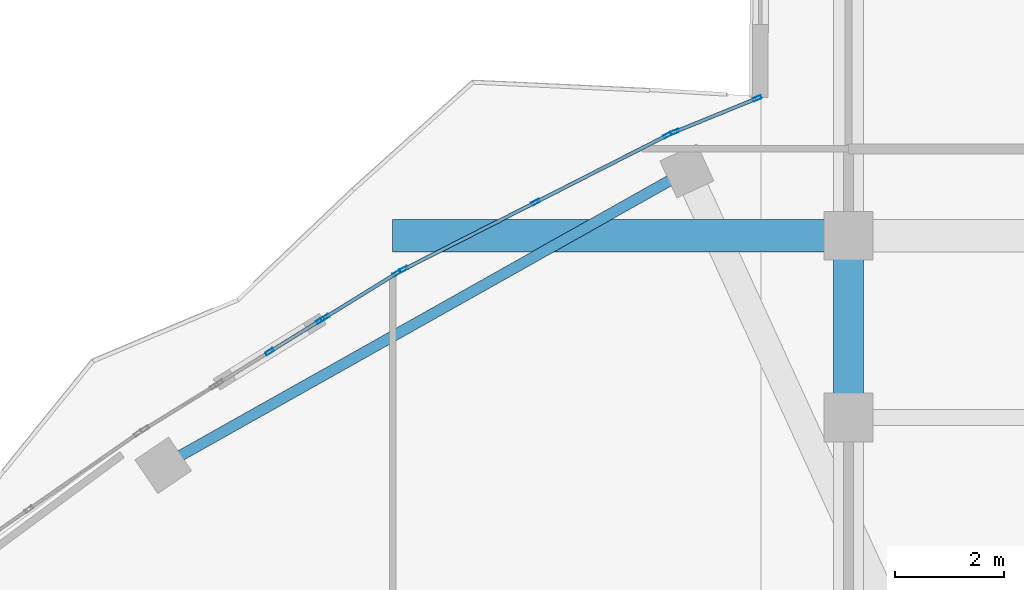
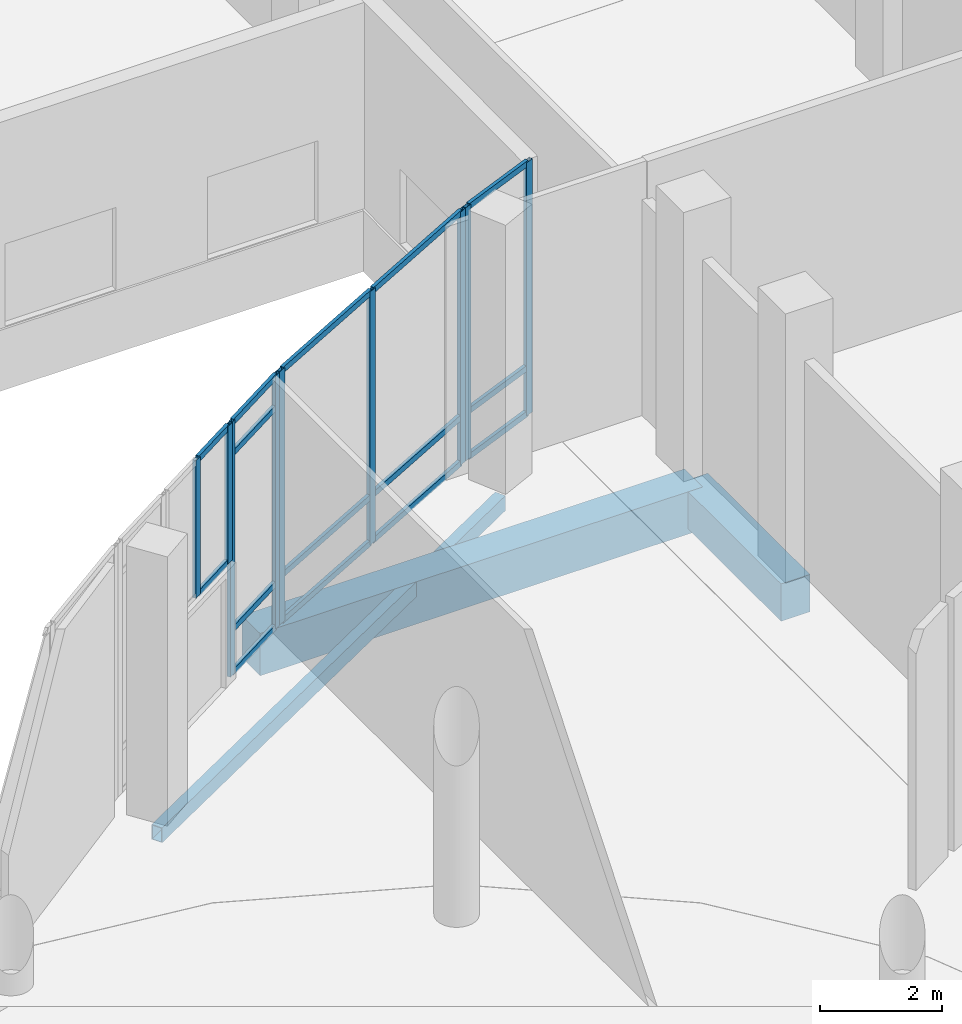
# One storey, part 85 of 158: 24 members, 3 beams, 4 elements without a shape of their own.
"""IFC4 building model written with IfcOpenShell, lengths in metres."""

from ifc_helpers import new_model, si_unit, direction, frame, origin, origin_2d, place, context, subcontext, project, spatial, rectangle, hollow_rectangle, extrude, material, material_profile, profile_set, type_object, element, aggregate, save


model = new_model("IFC4")

# Units and contexts
model_context = context("Model", 3, precision=1e-05, world=origin(), true_north=direction((0.0, 1.0)))
body_context = subcontext(model_context, "Body", "Model", "MODEL_VIEW")
ifc_project = project(units=[si_unit("LENGTHUNIT", "METRE"), si_unit("AREAUNIT", "SQUARE_METRE"), si_unit("VOLUMEUNIT", "CUBIC_METRE"), si_unit("PLANEANGLEUNIT", "RADIAN"), si_unit("MASSUNIT", "GRAM", prefix="KILO")], contexts=[model_context])

# Site, building, storey
site_placement = place(None, origin())
site = spatial("IfcSite", under=ifc_project, at=site_placement, CompositionType="ELEMENT")
building_placement = place(site_placement, origin())
building = spatial("IfcBuilding", under=site, at=building_placement, Name="Selatvlak General Hospital", CompositionType="ELEMENT")
storey_placement = place(building_placement, origin())
storey = spatial("IfcBuildingStorey", under=building, at=storey_placement, Name="L00", CompositionType="ELEMENT", Elevation=0.0)

# Beams
ifc_material_1 = material(Name="Concrete C40/50", Category="concrete")
ifc_material_profile_1 = material_profile(ifc_material_1, rectangle(XDim=0.60009765625, YDim=0.85009765625, at=origin_2d()), Name="RC-BM 600x850")
ifc_profile_set_1 = profile_set([ifc_material_profile_1], Name="Concrete C40/50")
beam_type_1 = type_object("IfcBeamType", Name="BM-G01", PredefinedType="BEAM", material=ifc_profile_set_1)
beam_1_placement = place(storey_placement, frame((106.800048828125, 76.0, -0.77490234375), z_axis=(1.0, 0.0, 0.0), x_axis=(0.0, 1.0, 0.0)))
element("IfcBeam", 1, at=beam_1_placement, inside=storey, type_object=beam_type_1, Name="Beam BMR-L00-0034", PredefinedType="BEAM", context=body_context, shape_type="SweptSolid", body=[
    extrude(rectangle(XDim=0.60009765625, YDim=0.85009765625, at=origin_2d()), origin(), (0.0, 0.0, 1.0), 8.39990234375),
])
ifc_material_profile_2 = material_profile(ifc_material_1, rectangle(XDim=0.550048828125, YDim=0.75, at=origin_2d()), Name="RC-BM 550x750")
ifc_profile_set_2 = profile_set([ifc_material_profile_2], Name="Concrete C40/50")
beam_type_2 = type_object("IfcBeamType", Name="BM-G02", PredefinedType="BEAM", material=ifc_profile_set_2)
beam_2_placement = place(storey_placement, frame((115.199951171875, 72.64990234375, -0.72509765625), z_axis=(0.0, 1.0, 0.0), x_axis=(-1.0, 0.0, 0.0)))
element("IfcBeam", 2, at=beam_2_placement, inside=storey, type_object=beam_type_2, Name="Beam BMR-L00-0235", PredefinedType="BEAM", context=body_context, shape_type="SweptSolid", body=[
    extrude(rectangle(XDim=0.550048828125, YDim=0.75, at=origin_2d()), origin(), (0.0, 0.0, 1.0), 3.35009765625),
])
ifc_material_2 = material(Name="Steel S355", Category="steel")
ifc_material_profile_3 = material_profile(ifc_material_2, hollow_rectangle(XDim=0.199951171875, YDim=0.300048828125, WallThickness=0.011962890625, at=origin_2d()), Name="RHS 300x200x12")
ifc_profile_set_3 = profile_set([ifc_material_profile_3], Name="Steel S355")
beam_type_3 = type_object("IfcBeamType", Name="BM-SP3", PredefinedType="SPANDREL", material=ifc_profile_set_3)
beam_3_placement = place(storey_placement, frame((102.572998046875, 71.77001953125, -0.5), z_axis=(0.871670941026, 0.490091594063, 0.0), x_axis=(-0.490091594063, 0.871670941026, 0.0)))
element("IfcBeam", 3, at=beam_3_placement, inside=storey, type_object=beam_type_3, Name="Beam BMR-L00-0361", PredefinedType="SPANDREL", context=body_context, shape_type="SweptSolid", body=[
    extrude(hollow_rectangle(XDim=0.199951171875, YDim=0.300048828125, WallThickness=0.011962890625, at=origin_2d()), origin(), (0.0, 0.0, 1.0), 11.069580078125),
])

# Curtain wall, members
ifc_material_3 = material(Name="Solar-control Low-E double glazing", Category="glass")
curtain_wall_type_1 = type_object("IfcCurtainWallType", Name="CW-CW-02", PredefinedType="USERDEFINED", material=ifc_material_3)
curtain_wall_1_placement = place(storey_placement, origin())
curtain_wall_1 = element("IfcCurtainWall", 4, at=curtain_wall_1_placement, inside=storey, type_object=curtain_wall_type_1, Name="Glazed facade curtain wall CW-L00-0100", ObjectType="UNITISED CURTAIN WALL", PredefinedType="USERDEFINED")
ifc_material_4 = material(Name="Dark anodised aluminium mullion", Category="aluminium")
ifc_material_profile_4 = material_profile(ifc_material_4, hollow_rectangle(XDim=0.06494140625, YDim=0.159912109375, WallThickness=0.00390625, at=origin_2d()), Name="AL-MUL 65x160x4")
ifc_profile_set_4 = profile_set([ifc_material_profile_4], Name="Dark anodised aluminium mullion")
member_type_1 = type_object("IfcMemberType", Name="CWM-01", PredefinedType="MULLION", material=ifc_profile_set_4)
member_1_placement = place(storey_placement, frame((104.533935546875, 73.863037109375, 2.320068359375), z_axis=(0.0, 0.0, 1.0), x_axis=(-0.526111885649, 0.850415359562, 0.0)))
member_1 = element("IfcMember", 5, at=member_1_placement, type_object=member_type_1, Name="CW-02 mullion 2", PredefinedType="MULLION", context=body_context, shape_type="SweptSolid", body=[
    extrude(hollow_rectangle(XDim=0.06494140625, YDim=0.159912109375, WallThickness=0.00390625, at=origin_2d()), origin(), (0.0, 0.0, 1.0), 2.760009765625),
])
member_2_placement = place(storey_placement, frame((105.471435546875, 74.44287109375, 2.320068359375), z_axis=(0.0, 0.0, 1.0), x_axis=(-0.526111885649, 0.850415359562, 0.0)))
member_2 = element("IfcMember", 6, at=member_2_placement, type_object=member_type_1, Name="CW-02 mullion 3", PredefinedType="MULLION", context=body_context, shape_type="SweptSolid", body=[
    extrude(hollow_rectangle(XDim=0.06494140625, YDim=0.159912109375, WallThickness=0.00390625, at=origin_2d()), origin(), (0.0, 0.0, 1.0), 2.760009765625),
])

curtain_wall_type_2 = type_object("IfcCurtainWallType", Name="CW-CW-01", PredefinedType="USERDEFINED", material=ifc_material_3)
curtain_wall_2_placement = place(storey_placement, origin())
curtain_wall_2 = element("IfcCurtainWall", 7, at=curtain_wall_2_placement, inside=storey, type_object=curtain_wall_type_2, Name="Glazed facade curtain wall CW-L00-0102", ObjectType="UNITISED CURTAIN WALL", PredefinedType="USERDEFINED")
member_3_placement = place(storey_placement, frame((105.552734375, 74.4931640625, 0.0), z_axis=(0.0, 0.0, 1.0), x_axis=(-0.525611082166, 0.850724979241, 0.0)))
member_3 = element("IfcMember", 8, at=member_3_placement, type_object=member_type_1, Name="CW-01 mullion 1", PredefinedType="MULLION", context=body_context, shape_type="SweptSolid", body=[
    extrude(hollow_rectangle(XDim=0.06494140625, YDim=0.159912109375, WallThickness=0.00390625, at=origin_2d()), origin(), (0.0, 0.0, 1.0), 5.080078125),
])
member_4_placement = place(storey_placement, frame((106.87646484375, 75.31103515625, 0.0), z_axis=(0.0, 0.0, 1.0), x_axis=(-0.525611082166, 0.850724979241, 0.0)))
member_4 = element("IfcMember", 9, at=member_4_placement, type_object=member_type_1, Name="CW-01 mullion 2", PredefinedType="MULLION", context=body_context, shape_type="SweptSolid", body=[
    extrude(hollow_rectangle(XDim=0.06494140625, YDim=0.159912109375, WallThickness=0.00390625, at=origin_2d()), origin(), (0.0, 0.0, 1.0), 5.080078125),
])

curtain_wall_3_placement = place(storey_placement, origin())
curtain_wall_3 = element("IfcCurtainWall", 10, at=curtain_wall_3_placement, inside=storey, type_object=curtain_wall_type_2, Name="Glazed facade curtain wall CW-L00-0103", ObjectType="UNITISED CURTAIN WALL", PredefinedType="USERDEFINED")
member_5_placement = place(storey_placement, frame((107.00390625, 75.380615234375, 0.0), z_axis=(0.0, 0.0, 1.0), x_axis=(-0.453361318983, 0.891326828077, 0.0)))
member_5 = element("IfcMember", 11, at=member_5_placement, type_object=member_type_1, Name="CW-01 mullion 1", PredefinedType="MULLION", context=body_context, shape_type="SweptSolid", body=[
    extrude(hollow_rectangle(XDim=0.06494140625, YDim=0.159912109375, WallThickness=0.00390625, at=origin_2d()), origin(), (0.0, 0.0, 1.0), 5.080078125),
])
member_6_placement = place(storey_placement, frame((109.435546875, 76.617431640625, 0.0), z_axis=(0.0, 0.0, 1.0), x_axis=(-0.453361318983, 0.891326828077, 0.0)))
member_6 = element("IfcMember", 12, at=member_6_placement, type_object=member_type_1, Name="CW-01 mullion 2", PredefinedType="MULLION", context=body_context, shape_type="SweptSolid", body=[
    extrude(hollow_rectangle(XDim=0.06494140625, YDim=0.159912109375, WallThickness=0.00390625, at=origin_2d()), origin(), (0.0, 0.0, 1.0), 5.080078125),
])
member_7_placement = place(storey_placement, frame((111.866943359375, 77.854248046875, 0.0), z_axis=(0.0, 0.0, 1.0), x_axis=(-0.453361318983, 0.891326828077, 0.0)))
member_7 = element("IfcMember", 13, at=member_7_placement, type_object=member_type_1, Name="CW-01 mullion 3", PredefinedType="MULLION", context=body_context, shape_type="SweptSolid", body=[
    extrude(hollow_rectangle(XDim=0.06494140625, YDim=0.159912109375, WallThickness=0.00390625, at=origin_2d()), origin(), (0.0, 0.0, 1.0), 5.080078125),
])

curtain_wall_4_placement = place(storey_placement, origin())
curtain_wall_4 = element("IfcCurtainWall", 14, at=curtain_wall_4_placement, inside=storey, type_object=curtain_wall_type_1, Name="Glazed facade curtain wall CW-L00-0104", ObjectType="UNITISED CURTAIN WALL", PredefinedType="USERDEFINED")
member_8_placement = place(storey_placement, frame((111.9990234375, 77.913330078125, 0.0), z_axis=(0.0, 0.0, 1.0), x_axis=(-0.377948250587, 0.925826722383, 0.0)))
member_8 = element("IfcMember", 15, at=member_8_placement, type_object=member_type_1, Name="CW-02 mullion 1", PredefinedType="MULLION", context=body_context, shape_type="SweptSolid", body=[
    extrude(hollow_rectangle(XDim=0.06494140625, YDim=0.159912109375, WallThickness=0.00390625, at=origin_2d()), origin(), (0.0, 0.0, 1.0), 5.080078125),
])
member_9_placement = place(storey_placement, frame((113.518798828125, 78.53369140625, 0.0), z_axis=(0.0, 0.0, 1.0), x_axis=(-0.377948250587, 0.925826722383, 0.0)))
member_9 = element("IfcMember", 16, at=member_9_placement, type_object=member_type_1, Name="CW-02 mullion 2", PredefinedType="MULLION", context=body_context, shape_type="SweptSolid", body=[
    extrude(hollow_rectangle(XDim=0.06494140625, YDim=0.159912109375, WallThickness=0.00390625, at=origin_2d()), origin(), (0.0, 0.0, 1.0), 5.080078125),
])

# Member
ifc_material_profile_5 = material_profile(ifc_material_4, hollow_rectangle(XDim=0.06494140625, YDim=0.1201171875, WallThickness=0.00390625, at=origin_2d()), Name="AL-TRN 65x120x4")
ifc_profile_set_5 = profile_set([ifc_material_profile_5], Name="Dark anodised aluminium mullion")
member_type_2 = type_object("IfcMemberType", Name="CWT-01", PredefinedType="USERDEFINED", material=ifc_profile_set_5)
member_10_placement = place(storey_placement, frame((104.5615234375, 73.880126953125, 2.3525390625), z_axis=(0.850435657631, 0.526079074123, 0.0), x_axis=(-0.526079074123, 0.850435657631, 0.0)))
member_10 = element("IfcMember", 17, at=member_10_placement, type_object=member_type_2, Name="CW-02 transom 2.1", ObjectType="TRANSOM", PredefinedType="USERDEFINED", context=body_context, shape_type="SweptSolid", body=[
    extrude(hollow_rectangle(XDim=0.06494140625, YDim=0.1201171875, WallThickness=0.00390625, at=origin_2d()), origin(), (0.0, 0.0, 1.0), 1.037109375),
])

member_11_placement = place(storey_placement, frame((104.5615234375, 73.880126953125, 5.047607421875), z_axis=(0.850435657631, 0.526079074123, 0.0), x_axis=(-0.526079074123, 0.850435657631, 0.0)))
member_11 = element("IfcMember", 18, at=member_11_placement, type_object=member_type_2, Name="CW-02 transom 2.2", ObjectType="TRANSOM", PredefinedType="USERDEFINED", context=body_context, shape_type="SweptSolid", body=[
    extrude(hollow_rectangle(XDim=0.06494140625, YDim=0.1201171875, WallThickness=0.00390625, at=origin_2d()), origin(), (0.0, 0.0, 1.0), 1.037109375),
])

aggregate(curtain_wall_1, [member_1, member_2, member_10, member_11])

member_12_placement = place(storey_placement, frame((105.580322265625, 74.51025390625, 0.032470703125), z_axis=(0.850701084111, 0.525649755533, 0.0), x_axis=(-0.525649755533, 0.850701084111, 0.0)))
member_12 = element("IfcMember", 19, at=member_12_placement, type_object=member_type_2, Name="CW-01 transom 1.1", ObjectType="TRANSOM", PredefinedType="USERDEFINED", context=body_context, shape_type="SweptSolid", body=[
    extrude(hollow_rectangle(XDim=0.06494140625, YDim=0.1201171875, WallThickness=0.00390625, at=origin_2d()), origin(), (0.0, 0.0, 1.0), 1.490966796875),
])

member_13_placement = place(storey_placement, frame((105.580322265625, 74.51025390625, 0.89990234375), z_axis=(0.850701084111, 0.525649755533, 0.0), x_axis=(-0.525649755533, 0.850701084111, 0.0)))
member_13 = element("IfcMember", 20, at=member_13_placement, type_object=member_type_2, Name="CW-01 transom 1.2", ObjectType="TRANSOM", PredefinedType="USERDEFINED", context=body_context, shape_type="SweptSolid", body=[
    extrude(hollow_rectangle(XDim=0.06494140625, YDim=0.1201171875, WallThickness=0.00390625, at=origin_2d()), origin(), (0.0, 0.0, 1.0), 1.490966796875),
])

member_14_placement = place(storey_placement, frame((105.580322265625, 74.51025390625, 4.429931640625), z_axis=(0.850701084111, 0.525649755533, 0.0), x_axis=(-0.525649755533, 0.850701084111, 0.0)))
member_14 = element("IfcMember", 21, at=member_14_placement, type_object=member_type_2, Name="CW-01 transom 1.3", ObjectType="TRANSOM", PredefinedType="USERDEFINED", context=body_context, shape_type="SweptSolid", body=[
    extrude(hollow_rectangle(XDim=0.06494140625, YDim=0.1201171875, WallThickness=0.00390625, at=origin_2d()), origin(), (0.0, 0.0, 1.0), 1.490966796875),
])

member_15_placement = place(storey_placement, frame((105.580322265625, 74.51025390625, 5.047607421875), z_axis=(0.850701084111, 0.525649755533, 0.0), x_axis=(-0.525649755533, 0.850701084111, 0.0)))
member_15 = element("IfcMember", 22, at=member_15_placement, type_object=member_type_2, Name="CW-01 transom 1.4", ObjectType="TRANSOM", PredefinedType="USERDEFINED", context=body_context, shape_type="SweptSolid", body=[
    extrude(hollow_rectangle(XDim=0.06494140625, YDim=0.1201171875, WallThickness=0.00390625, at=origin_2d()), origin(), (0.0, 0.0, 1.0), 1.490966796875),
])

aggregate(curtain_wall_2, [member_3, member_4, member_12, member_13, member_14, member_15])

member_16_placement = place(storey_placement, frame((107.032958984375, 75.3955078125, 0.032470703125), z_axis=(0.891325480474, 0.453363968416, 0.0), x_axis=(-0.453363968416, 0.891325480474, 0.0)))
member_16 = element("IfcMember", 23, at=member_16_placement, type_object=member_type_2, Name="CW-01 transom 1.1", ObjectType="TRANSOM", PredefinedType="USERDEFINED", context=body_context, shape_type="SweptSolid", body=[
    extrude(hollow_rectangle(XDim=0.06494140625, YDim=0.1201171875, WallThickness=0.00390625, at=origin_2d()), origin(), (0.0, 0.0, 1.0), 2.662841796875),
])

member_17_placement = place(storey_placement, frame((107.032958984375, 75.3955078125, 0.949951171875), z_axis=(0.891325480474, 0.453363968416, 0.0), x_axis=(-0.453363968416, 0.891325480474, 0.0)))
member_17 = element("IfcMember", 24, at=member_17_placement, type_object=member_type_2, Name="CW-01 transom 1.2", ObjectType="TRANSOM", PredefinedType="USERDEFINED", context=body_context, shape_type="SweptSolid", body=[
    extrude(hollow_rectangle(XDim=0.06494140625, YDim=0.1201171875, WallThickness=0.00390625, at=origin_2d()), origin(), (0.0, 0.0, 1.0), 2.662841796875),
])

member_18_placement = place(storey_placement, frame((107.032958984375, 75.3955078125, 5.047607421875), z_axis=(0.891325480474, 0.453363968416, 0.0), x_axis=(-0.453363968416, 0.891325480474, 0.0)))
member_18 = element("IfcMember", 25, at=member_18_placement, type_object=member_type_2, Name="CW-01 transom 1.3", ObjectType="TRANSOM", PredefinedType="USERDEFINED", context=body_context, shape_type="SweptSolid", body=[
    extrude(hollow_rectangle(XDim=0.06494140625, YDim=0.1201171875, WallThickness=0.00390625, at=origin_2d()), origin(), (0.0, 0.0, 1.0), 2.662841796875),
])

member_19_placement = place(storey_placement, frame((109.46435546875, 76.63232421875, 0.032470703125), z_axis=(0.891344322234, 0.453326923115, 0.0), x_axis=(-0.453326923115, 0.891344322234, 0.0)))
member_19 = element("IfcMember", 26, at=member_19_placement, type_object=member_type_2, Name="CW-01 transom 2.1", ObjectType="TRANSOM", PredefinedType="USERDEFINED", context=body_context, shape_type="SweptSolid", body=[
    extrude(hollow_rectangle(XDim=0.06494140625, YDim=0.1201171875, WallThickness=0.00390625, at=origin_2d()), origin(), (0.0, 0.0, 1.0), 2.6630859375),
])

member_20_placement = place(storey_placement, frame((109.46435546875, 76.63232421875, 0.949951171875), z_axis=(0.891344322234, 0.453326923115, 0.0), x_axis=(-0.453326923115, 0.891344322234, 0.0)))
member_20 = element("IfcMember", 27, at=member_20_placement, type_object=member_type_2, Name="CW-01 transom 2.2", ObjectType="TRANSOM", PredefinedType="USERDEFINED", context=body_context, shape_type="SweptSolid", body=[
    extrude(hollow_rectangle(XDim=0.06494140625, YDim=0.1201171875, WallThickness=0.00390625, at=origin_2d()), origin(), (0.0, 0.0, 1.0), 2.6630859375),
])

member_21_placement = place(storey_placement, frame((109.46435546875, 76.63232421875, 5.047607421875), z_axis=(0.891344322234, 0.453326923115, 0.0), x_axis=(-0.453326923115, 0.891344322234, 0.0)))
member_21 = element("IfcMember", 28, at=member_21_placement, type_object=member_type_2, Name="CW-01 transom 2.3", ObjectType="TRANSOM", PredefinedType="USERDEFINED", context=body_context, shape_type="SweptSolid", body=[
    extrude(hollow_rectangle(XDim=0.06494140625, YDim=0.1201171875, WallThickness=0.00390625, at=origin_2d()), origin(), (0.0, 0.0, 1.0), 2.6630859375),
])

aggregate(curtain_wall_3, [member_5, member_6, member_7, member_16, member_17, member_18, member_19, member_20, member_21])

member_22_placement = place(storey_placement, frame((112.029296875, 77.925537109375, 0.032470703125), z_axis=(0.925793450166, 0.378029744372, 0.0), x_axis=(-0.378029744372, 0.925793450166, 0.0)))
member_22 = element("IfcMember", 29, at=member_22_placement, type_object=member_type_2, Name="CW-02 transom 1.1", ObjectType="TRANSOM", PredefinedType="USERDEFINED", context=body_context, shape_type="SweptSolid", body=[
    extrude(hollow_rectangle(XDim=0.06494140625, YDim=0.1201171875, WallThickness=0.00390625, at=origin_2d()), origin(), (0.0, 0.0, 1.0), 1.576416015625),
])

member_23_placement = place(storey_placement, frame((112.029296875, 77.925537109375, 0.949951171875), z_axis=(0.925793450166, 0.378029744372, 0.0), x_axis=(-0.378029744372, 0.925793450166, 0.0)))
member_23 = element("IfcMember", 30, at=member_23_placement, type_object=member_type_2, Name="CW-02 transom 1.2", ObjectType="TRANSOM", PredefinedType="USERDEFINED", context=body_context, shape_type="SweptSolid", body=[
    extrude(hollow_rectangle(XDim=0.06494140625, YDim=0.1201171875, WallThickness=0.00390625, at=origin_2d()), origin(), (0.0, 0.0, 1.0), 1.576416015625),
])

member_24_placement = place(storey_placement, frame((112.029296875, 77.925537109375, 5.047607421875), z_axis=(0.925793450166, 0.378029744372, 0.0), x_axis=(-0.378029744372, 0.925793450166, 0.0)))
member_24 = element("IfcMember", 31, at=member_24_placement, type_object=member_type_2, Name="CW-02 transom 1.3", ObjectType="TRANSOM", PredefinedType="USERDEFINED", context=body_context, shape_type="SweptSolid", body=[
    extrude(hollow_rectangle(XDim=0.06494140625, YDim=0.1201171875, WallThickness=0.00390625, at=origin_2d()), origin(), (0.0, 0.0, 1.0), 1.576416015625),
])

aggregate(curtain_wall_4, [member_8, member_9, member_22, member_23, member_24])

save(model, "model.ifc")
